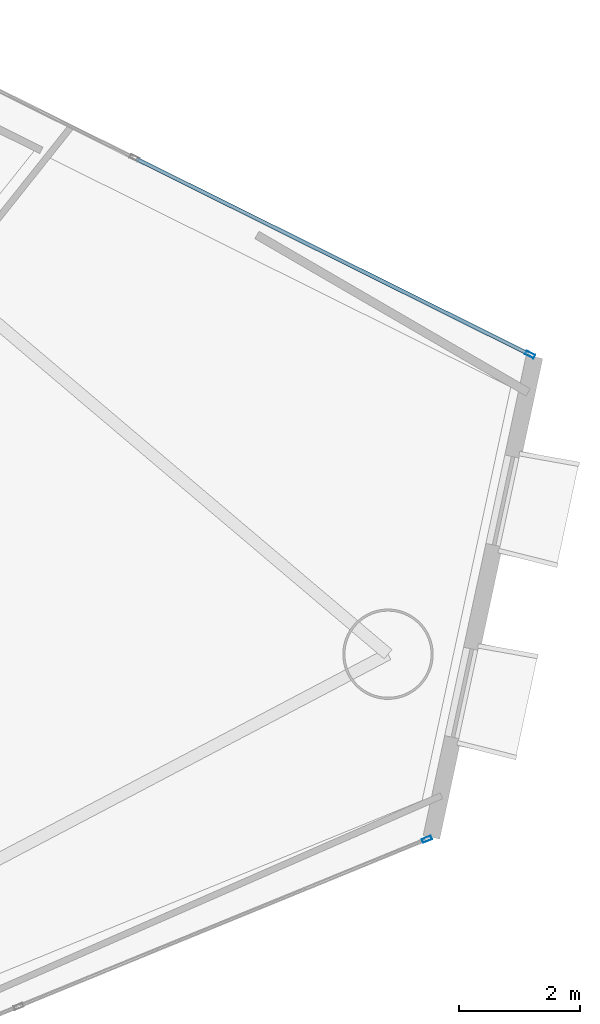
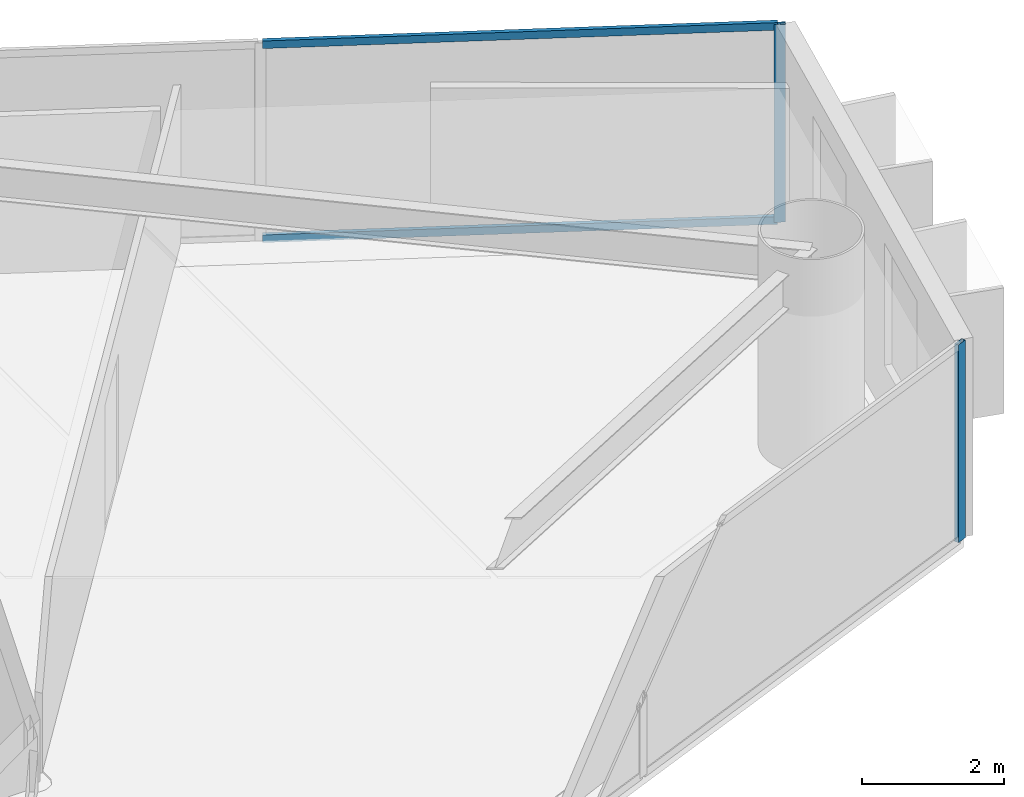
# One storey, part 14 of 22: 4 members, 2 elements without a shape of their own.
"""IFC4 building model written with IfcOpenShell, lengths in metres."""

import ifcopenshell
import ifcopenshell.guid

model = None  # the IFC model being written
_history = None  # IfcOwnerHistory: only IFC2X3 demands one
_inside = {}  # id of a spatial element -> (the spatial element, [elements in it])
_under = {}  # id of a project, library or spatial element -> (it, [spatial elements below it])
_declared = {}  # id of a project -> (the project, [libraries it declares])
_typed = {}  # id of a type object -> (the type object, [elements of that type])
_made_of = {}  # id of a material, layer set ... -> (it, [elements and type objects made of it])


def new_model(schema):
    """Start an empty IFC model of exactly this schema.

    Asked for "IFC4X3", IfcOpenShell would pick the latest addendum, in which some entities
    have other attributes; the version numbers below select the first issue.
    IFC2X3 requires an IfcOwnerHistory on every rooted entity: one is made here for all.
    """
    global model, _history
    if schema == "IFC4X3":
        model = ifcopenshell.file(schema_version=(4, 3, 0, 0))
    else:
        model = ifcopenshell.file(schema=schema)
    _inside.clear()
    _under.clear()
    _declared.clear()
    _typed.clear()
    _made_of.clear()
    _history = None
    if model.schema == "IFC2X3":
        org = make("IfcOrganization", Name="unknown")
        user = make(
            "IfcPersonAndOrganization",
            ThePerson=make("IfcPerson", FamilyName="unknown"),
            TheOrganization=org,
        )
        app = make(
            "IfcApplication",
            ApplicationDeveloper=org,
            Version="unknown",
            ApplicationFullName="unknown",
            ApplicationIdentifier="unknown",
        )
        _history = make(
            "IfcOwnerHistory",
            OwningUser=user,
            OwningApplication=app,
            ChangeAction="ADDED",
            CreationDate=0,
        )
    return model


def make(cls, **values):
    """One entity of the class cls with the attributes given. An attribute that is None is left unset."""
    return model.create_entity(
        cls, **{name: value for name, value in values.items() if value is not None}
    )


def rooted(cls, **values):
    """An entity with a GlobalId (a new one), such as an element, a storey or a relation."""
    return make(cls, GlobalId=ifcopenshell.guid.new(), OwnerHistory=_history, **values)


def si_unit(unit_type, name, prefix=None):
    """IfcSIUnit, for example si_unit("LENGTHUNIT", "METRE", prefix="MILLI")."""
    return make("IfcSIUnit", UnitType=unit_type, Prefix=prefix, Name=name)


def assignment(units):
    """IfcUnitAssignment: the units of a project."""
    return None if units is None else make("IfcUnitAssignment", Units=units)


def point(xyz):
    """IfcCartesianPoint."""
    return None if xyz is None else make("IfcCartesianPoint", Coordinates=xyz)


def direction(xyz):
    """IfcDirection."""
    return None if xyz is None else make("IfcDirection", DirectionRatios=xyz)


def frame(location, z_axis=None, x_axis=None):
    """IfcAxis2Placement3D, a coordinate frame: its origin and axes. An axis left out is left unset."""
    return make(
        "IfcAxis2Placement3D",
        Location=point(location),
        Axis=direction(z_axis),
        RefDirection=direction(x_axis),
    )


def frame_2d(location, x_axis=None):
    """IfcAxis2Placement2D, a coordinate frame in the plane: its origin and x axis."""
    return make(
        "IfcAxis2Placement2D", Location=point(location), RefDirection=direction(x_axis)
    )


def origin():
    """The frame at (0, 0, 0) with its axes left unset."""
    return frame((0.0, 0.0, 0.0))


def origin_2d():
    """The frame at (0, 0) in the plane with its x axis left unset."""
    return frame_2d((0.0, 0.0))


def place(relative_to, where):
    """IfcLocalPlacement: puts the frame where relative to a parent placement (None: the world)."""
    return make(
        "IfcLocalPlacement", PlacementRelTo=relative_to, RelativePlacement=where
    )


def context(
    kind, dimensions, precision=None, world=None, true_north=None, identifier=None
):
    """IfcGeometricRepresentationContext, for example the 3D "Model" context."""
    return make(
        "IfcGeometricRepresentationContext",
        ContextIdentifier=identifier,
        ContextType=kind,
        CoordinateSpaceDimension=dimensions,
        Precision=precision,
        WorldCoordinateSystem=world,
        TrueNorth=true_north,
    )


def subcontext(parent, identifier, kind, view, scale=None):
    """IfcGeometricRepresentationSubContext, for example "Body" below "Model"."""
    return make(
        "IfcGeometricRepresentationSubContext",
        ContextIdentifier=identifier,
        ContextType=kind,
        ParentContext=parent,
        TargetScale=scale,
        TargetView=view,
    )


def project(units=None, contexts=None):
    """IfcProject with its units and contexts."""
    return rooted(
        "IfcProject",
        Name="project",
        RepresentationContexts=contexts,
        UnitsInContext=assignment(units),
    )


def spatial(cls, under=None, at=None, **own):
    """A site, building, storey or space (cls), placed at a placement, below another one or the project."""
    s = rooted(cls, ObjectPlacement=at, **own)
    if under is not None:
        _under.setdefault(under.id(), (under, []))[1].append(s)
    return s


def profile(cls, at=None, kind="AREA", **sizes):
    """A parametric profile (cls). Its sizes go by their IFC names, for example OverallWidth=200.0."""
    return make(cls, ProfileType=kind, Position=at, **sizes)


def hollow_rectangle(**sizes):
    """IfcRectangleHollowProfileDef."""
    return profile("IfcRectangleHollowProfileDef", **sizes)


def extrude(swept, where, along, depth):
    """IfcExtrudedAreaSolid: the profile swept, set in the frame where, extruded along a direction by depth."""
    return make(
        "IfcExtrudedAreaSolid",
        SweptArea=swept,
        Position=where,
        ExtrudedDirection=direction(along),
        Depth=depth,
    )


def shape(context_of_items, identifier, shape_type, items):
    """IfcShapeRepresentation: the items that make up one representation, for example the "Body"."""
    return make(
        "IfcShapeRepresentation",
        ContextOfItems=context_of_items,
        RepresentationIdentifier=identifier,
        RepresentationType=shape_type,
        Items=items,
    )


def material(Name=None, Category=None):
    """IfcMaterial."""
    return make("IfcMaterial", Name=Name, Category=Category)


def layer(
    of_material, thickness, ventilated=None, Name=None, Category=None, Priority=None
):
    """IfcMaterialLayer: one layer of a wall or slab, of a material (None: an air gap)."""
    return make(
        "IfcMaterialLayer",
        Material=of_material,
        LayerThickness=thickness,
        IsVentilated=ventilated,
        Name=Name,
        Category=Category,
        Priority=Priority,
    )


def layer_set(layers, Name=None):
    """IfcMaterialLayerSet."""
    return make("IfcMaterialLayerSet", MaterialLayers=layers, LayerSetName=Name)


def material_profile(
    of_material, cross_section, Name=None, Category=None, Priority=None
):
    """IfcMaterialProfile: a cross section and its material."""
    return make(
        "IfcMaterialProfile",
        Name=Name,
        Material=of_material,
        Profile=cross_section,
        Priority=Priority,
        Category=Category,
    )


def profile_set(profiles, Name=None, composite=None):
    """IfcMaterialProfileSet."""
    return make(
        "IfcMaterialProfileSet",
        Name=Name,
        MaterialProfiles=profiles,
        CompositeProfile=composite,
    )


def made_of(thing, what):
    """Note that an element or type object is made of a material, layer set ...; save() writes the relation."""
    if what is not None:
        _made_of.setdefault(what.id(), (what, []))[1].append(thing)
    return thing


def type_object(cls, material=None, **own):
    """A type object (cls), such as IfcWallType, which elements share."""
    return made_of(rooted(cls, **own), material)


def element(
    cls,
    number,
    at=None,
    inside=None,
    cuts=None,
    type_object=None,
    material=None,
    context=None,
    identifier="Body",
    shape_type=None,
    held_by="IfcProductDefinitionShape",
    body=None,
    shapes=None,
    **own,
):
    """One element of the class cls, such as IfcWall. Its Tag is "e" and its number.

    at: its placement. inside: the storey or other place that contains it. cuts: it is an
    opening in that element (IfcRelVoidsElement). A single representation is given by context,
    identifier, shape_type and body (its items); several are given by shapes. held_by: the class
    of the entity that holds the representations. save() writes the other relations.
    """
    e = rooted(cls, Tag="e%d" % number, ObjectPlacement=at, **own)
    if body is not None:
        shapes = [shape(context, identifier, shape_type, body)]
    if shapes is not None:
        e.Representation = make(held_by, Representations=shapes)
    if inside is not None:
        _inside.setdefault(inside.id(), (inside, []))[1].append(e)
    if cuts is not None:
        rooted(
            "IfcRelVoidsElement", RelatingBuildingElement=cuts, RelatedOpeningElement=e
        )
    if type_object is not None:
        _typed.setdefault(type_object.id(), (type_object, []))[1].append(e)
    return made_of(e, material)


def aggregate(whole, parts):
    """IfcRelAggregates: a whole, such as a stair, and the parts it consists of."""
    return rooted("IfcRelAggregates", RelatingObject=whole, RelatedObjects=parts)


def save(model, path):
    """Write the relations noted so far, then the file.

    IfcRelAggregates (storeys below a building ...), IfcRelContainedInSpatialStructure (elements
    in a storey), IfcRelDefinesByType, IfcRelAssociatesMaterial and IfcRelDeclares: one each for
    every whole, place, type object, material and project.
    """
    for whole, parts in _under.values():
        aggregate(whole, parts)
    for where, things in _inside.values():
        rooted(
            "IfcRelContainedInSpatialStructure",
            RelatedElements=things,
            RelatingStructure=where,
        )
    for kind, things in _typed.values():
        rooted("IfcRelDefinesByType", RelatedObjects=things, RelatingType=kind)
    for what, things in _made_of.values():
        rooted("IfcRelAssociatesMaterial", RelatedObjects=things, RelatingMaterial=what)
    for by, libraries in _declared.values():
        rooted("IfcRelDeclares", RelatingContext=by, RelatedDefinitions=libraries)
    model.write(path)


model = new_model("IFC4")

# Units and contexts
model_context = context("Model", 3, precision=1e-05, world=origin(), true_north=direction((0.0, 1.0)))
body_context = subcontext(model_context, "Body", "Model", "MODEL_VIEW")
ifc_project = project(units=[si_unit("LENGTHUNIT", "METRE"), si_unit("AREAUNIT", "SQUARE_METRE"), si_unit("VOLUMEUNIT", "CUBIC_METRE"), si_unit("PLANEANGLEUNIT", "RADIAN"), si_unit("MASSUNIT", "GRAM", prefix="KILO")], contexts=[model_context])

# Site, building, storey
site_placement = place(None, origin())
site = spatial("IfcSite", under=ifc_project, at=site_placement, CompositionType="ELEMENT")
building_placement = place(site_placement, origin())
building = spatial("IfcBuilding", under=site, at=building_placement, Name="Qianvela Tower", CompositionType="ELEMENT")
storey_placement = place(building_placement, frame((0.0, 0.0, 134.800048828125)))
storey = spatial("IfcBuildingStorey", under=building, at=storey_placement, Name="L34", CompositionType="ELEMENT", Elevation=134.800048828125)

# Curtain wall, member
ifc_material_1 = material(Name="Anodised Architectural Aluminium and Low-E Glass", Category="aluminium")
ifc_layer = layer(ifc_material_1, 0.169921875)
ifc_layer_set = layer_set([ifc_layer], Name="Anodised Architectural Aluminium and Low-E Glass")
curtain_wall_type = type_object("IfcCurtainWallType", Name="CW-COLIV-Z34", PredefinedType="USERDEFINED", material=ifc_layer_set)
curtain_wall_1_placement = place(storey_placement, origin())
curtain_wall_1 = element("IfcCurtainWall", 1, at=curtain_wall_1_placement, inside=storey, type_object=curtain_wall_type, Name="L34 CW-COLIV-Z34 Curtain Wall 02A", ObjectType="CURTAIN_WALL_SYSTEM", PredefinedType="USERDEFINED")
ifc_material_2 = material(Name="Anodised Architectural Aluminium 6063-T6", Category="aluminium")
ifc_material_profile_1 = material_profile(ifc_material_2, hollow_rectangle(XDim=0.06494140625, YDim=0.159912109375, WallThickness=0.0048828125, at=origin_2d()), Name="ALU-MULL-65x160")
ifc_profile_set_1 = profile_set([ifc_material_profile_1], Name="Anodised Architectural Aluminium 6063-T6")
member_type_1 = type_object("IfcMemberType", Name="CW-COLIV-Z34-MULL", PredefinedType="MULLION", material=ifc_profile_set_1)
member_1_placement = place(storey_placement, frame((59.551025390625, 28.92919921875, 0.0), z_axis=(0.0, 0.0, 1.0), x_axis=(-0.445149904419, -0.895456064023, 0.0)))
member_1 = element("IfcMember", 2, at=member_1_placement, type_object=member_type_1, Name="CW-4 mullion 1", PredefinedType="MULLION", context=body_context, shape_type="SweptSolid", body=[
    extrude(hollow_rectangle(XDim=0.06494140625, YDim=0.159912109375, WallThickness=0.0048828125, at=origin_2d()), origin(), (0.0, 0.0, 1.0), 3.39990234375),
])

curtain_wall_2_placement = place(storey_placement, origin())
curtain_wall_2 = element("IfcCurtainWall", 3, at=curtain_wall_2_placement, inside=storey, type_object=curtain_wall_type, Name="L34 CW-COLIV-Z34 Curtain Wall 06C", ObjectType="CURTAIN_WALL_SYSTEM", PredefinedType="USERDEFINED")
member_2_placement = place(storey_placement, frame((57.8388671875, 20.888427734375, 0.0), z_axis=(0.0, 0.0, 1.0), x_axis=(-0.379023421912, 0.925387078817, 0.0)))
member_2 = element("IfcMember", 4, at=member_2_placement, type_object=member_type_1, Name="CW-4 mullion 3", PredefinedType="MULLION", context=body_context, shape_type="SweptSolid", body=[
    extrude(hollow_rectangle(XDim=0.06494140625, YDim=0.159912109375, WallThickness=0.0048828125, at=origin_2d()), origin(), (0.0, 0.0, 1.0), 3.39990234375),
])
aggregate(curtain_wall_2, [member_2])

# Member
ifc_material_3 = material(Name="Anodised Architectural Aluminium 6063-T6", Category="aluminium")
ifc_material_profile_2 = material_profile(ifc_material_3, hollow_rectangle(XDim=0.06494140625, YDim=0.1298828125, WallThickness=0.00439453125, at=origin_2d()), Name="ALU-TRAN-65x130")
ifc_profile_set_2 = profile_set([ifc_material_profile_2], Name="Anodised Architectural Aluminium 6063-T6")
member_type_2 = type_object("IfcMemberType", Name="CW-COLIV-Z34-TRAN", PredefinedType="USERDEFINED", material=ifc_profile_set_2)
member_3_placement = place(storey_placement, frame((59.52197265625, 28.94384765625, 0.032470703125), z_axis=(-0.895466902158, 0.445128101944, 0.0), x_axis=(-0.445128101944, -0.895466902158, 0.0)))
member_3 = element("IfcMember", 5, at=member_3_placement, type_object=member_type_2, Name="CW-4 transom 1.1", ObjectType="TRANSOM", PredefinedType="USERDEFINED", context=body_context, shape_type="SweptSolid", body=[
    extrude(hollow_rectangle(XDim=0.06494140625, YDim=0.1298828125, WallThickness=0.00439453125, at=origin_2d()), origin(), (0.0, 0.0, 1.0), 7.26220703125),
])

member_4_placement = place(storey_placement, frame((59.52197265625, 28.94384765625, 3.367431640625), z_axis=(-0.895466902158, 0.445128101944, 0.0), x_axis=(-0.445128101944, -0.895466902158, 0.0)))
member_4 = element("IfcMember", 6, at=member_4_placement, type_object=member_type_2, Name="CW-4 transom 1.2", ObjectType="TRANSOM", PredefinedType="USERDEFINED", context=body_context, shape_type="SweptSolid", body=[
    extrude(hollow_rectangle(XDim=0.06494140625, YDim=0.1298828125, WallThickness=0.00439453125, at=origin_2d()), origin(), (0.0, 0.0, 1.0), 7.26220703125),
])

aggregate(curtain_wall_1, [member_1, member_3, member_4])

save(model, "model.ifc")
